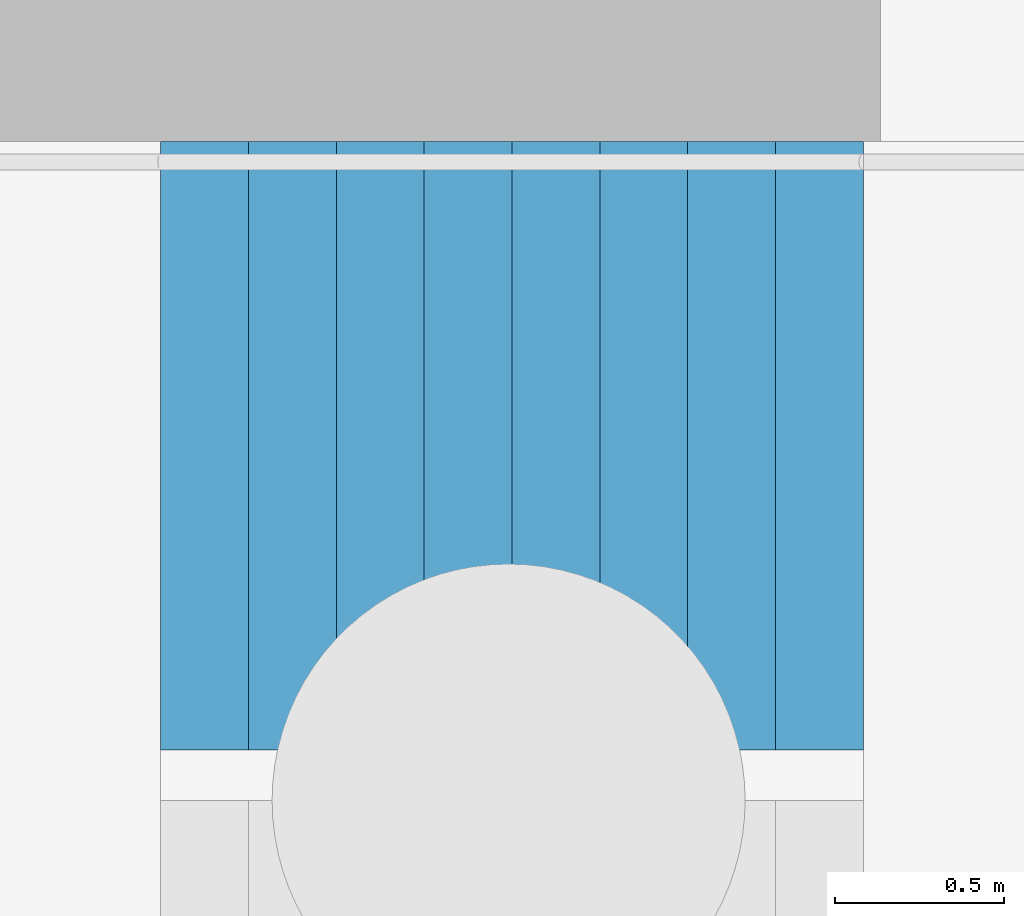
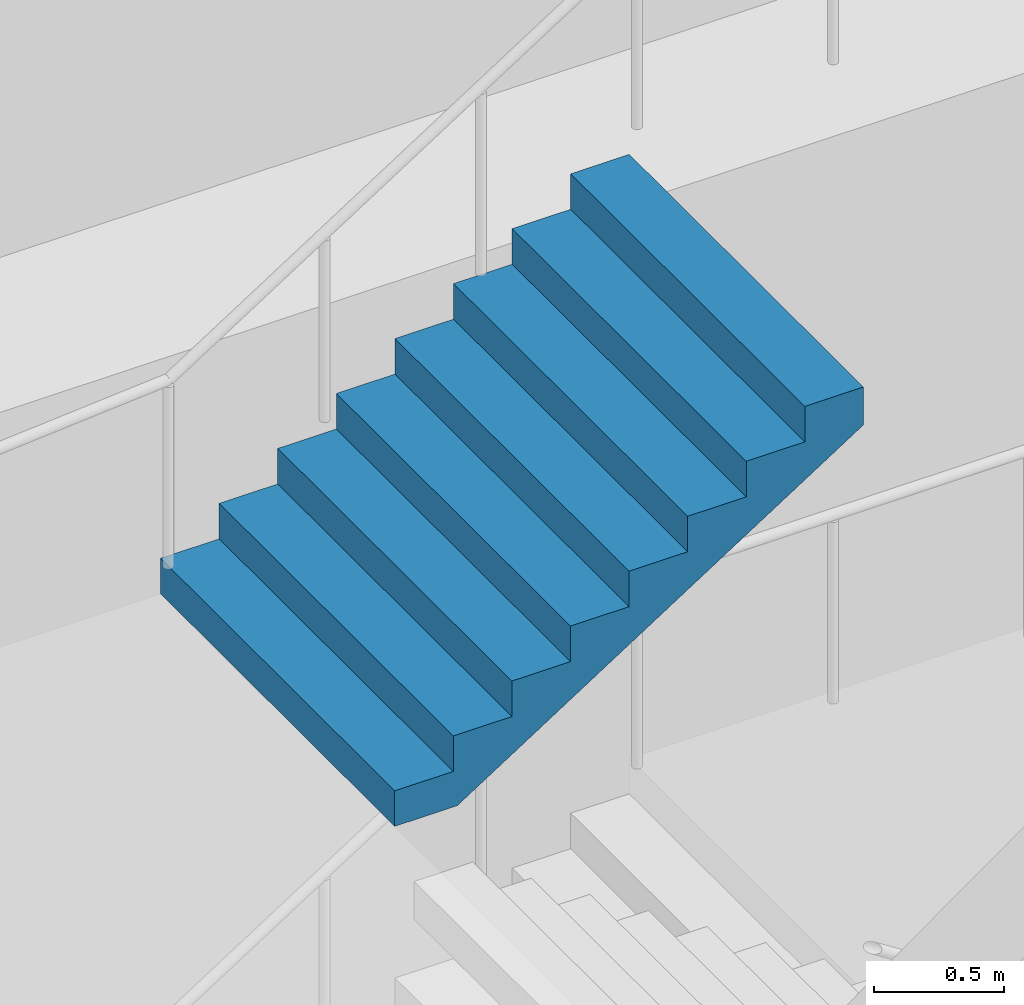
# One storey, part 83 of 113: 1 stair flight, 1 element without a shape of its own.
"""IFC4 building model written with IfcOpenShell, lengths in metres."""

from ifc_helpers import new_model, si_unit, direction, frame, origin, place, context, subcontext, project, spatial, triangles, material, type_object, element, aggregate, save


model = new_model("IFC4")

# Units and contexts
model_context = context("Model", 3, precision=1e-05, world=origin(), true_north=direction((0.0, 1.0)))
body_context = subcontext(model_context, "Body", "Model", "MODEL_VIEW")
ifc_project = project(units=[si_unit("LENGTHUNIT", "METRE"), si_unit("AREAUNIT", "SQUARE_METRE"), si_unit("VOLUMEUNIT", "CUBIC_METRE"), si_unit("PLANEANGLEUNIT", "RADIAN"), si_unit("MASSUNIT", "GRAM", prefix="KILO")], contexts=[model_context])

# Site, building, storey
site_placement = place(None, origin())
site = spatial("IfcSite", under=ifc_project, at=site_placement, CompositionType="ELEMENT")
building_placement = place(site_placement, origin())
building = spatial("IfcBuilding", under=site, at=building_placement, Name="Hakoniwa Tower and Hamabe Station Hall", CompositionType="ELEMENT")
storey_placement = place(building_placement, origin())
storey = spatial("IfcBuildingStorey", under=building, at=storey_placement, Name="L01", CompositionType="ELEMENT", Elevation=0.0)

# Stair, stair flight
ifc_material_1 = material(Name="Concrete C40", Category="concrete")
stair_type = type_object("IfcStairType", Name="ESCAPE STAIR 1800", PredefinedType="HALF_TURN_STAIR", material=ifc_material_1)
stair_placement = place(storey_placement, origin())
stair = element("IfcStair", 1, at=stair_placement, inside=storey, type_object=stair_type, Name="Escape stair ST-3 L01", PredefinedType="HALF_TURN_STAIR")
ifc_material_2 = material(Name="Concrete C40", Category="concrete")
stair_flight_type = type_object("IfcStairFlightType", Name="STAIR FLIGHT 1800", PredefinedType="STRAIGHT", material=ifc_material_2)
stair_flight_placement = place(storey_placement, frame((22.320068359375, 6.60009765625, 7.5), z_axis=(0.0, 0.0, 1.0), x_axis=(1.0, 0.0, 0.0)))
stair_flight = element("IfcStairFlight", 2, at=stair_flight_placement, type_object=stair_flight_type, Name="ST-3 flight 6", NumberOfRisers=9, NumberOfTreads=8, PredefinedType="STRAIGHT", RiserHeight=0.166666667, TreadLength=0.26, context=body_context, shape_type="Tessellation", body=[
    triangles([(0.0, 0.89990234375, 0.0), (0.260009765625, 0.89990234375, 0.0), (0.27783203125, 0.89990234375, 0.0), (0.52001953125, 0.89990234375, 0.1552734375), (0.780029296875, 0.89990234375, 0.322021484375), (1.0400390625, 0.89990234375, 0.488525390625), (1.300048828125, 0.89990234375, 0.6552734375), (1.56005859375, 0.89990234375, 0.822021484375), (1.820068359375, 0.89990234375, 0.988525390625), (2.080078125, 0.89990234375, 1.1552734375), (2.080078125, 0.89990234375, 1.333251953125), (1.820068359375, 0.89990234375, 1.333251953125), (1.820068359375, 0.89990234375, 1.166748046875), (1.56005859375, 0.89990234375, 1.166748046875), (1.56005859375, 0.89990234375, 1.0), (1.300048828125, 0.89990234375, 1.0), (1.300048828125, 0.89990234375, 0.833251953125), (1.0400390625, 0.89990234375, 0.833251953125), (1.0400390625, 0.89990234375, 0.666748046875), (0.780029296875, 0.89990234375, 0.666748046875), (0.780029296875, 0.89990234375, 0.5), (0.52001953125, 0.89990234375, 0.5), (0.52001953125, 0.89990234375, 0.333251953125), (0.27783203125, 0.89990234375, 0.333251953125), (0.260009765625, 0.89990234375, 0.333251953125), (0.260009765625, 0.89990234375, 0.166748046875), (0.0, 0.89990234375, 0.166748046875), (0.0, 0.06005859375, 0.0), (0.260009765625, 0.06005859375, 0.0), (0.27783203125, 0.06005859375, 0.0), (0.52001953125, 0.06005859375, 0.1552734375), (0.780029296875, 0.06005859375, 0.322021484375), (1.0400390625, 0.06005859375, 0.488525390625), (1.300048828125, 0.06005859375, 0.6552734375), (1.56005859375, 0.06005859375, 0.822021484375), (1.820068359375, 0.06005859375, 0.988525390625), (2.080078125, 0.06005859375, 1.1552734375), (2.080078125, 0.06005859375, 1.333251953125), (1.820068359375, 0.06005859375, 1.333251953125), (1.820068359375, 0.06005859375, 1.166748046875), (1.56005859375, 0.06005859375, 1.166748046875), (1.56005859375, 0.06005859375, 1.0), (1.300048828125, 0.06005859375, 1.0), (1.300048828125, 0.06005859375, 0.833251953125), (1.0400390625, 0.06005859375, 0.833251953125), (1.0400390625, 0.06005859375, 0.666748046875), (0.780029296875, 0.06005859375, 0.666748046875), (0.780029296875, 0.06005859375, 0.5), (0.52001953125, 0.06005859375, 0.5), (0.52001953125, 0.06005859375, 0.333251953125), (0.27783203125, 0.06005859375, 0.333251953125), (0.260009765625, 0.06005859375, 0.333251953125), (0.260009765625, 0.06005859375, 0.166748046875), (0.0, 0.06005859375, 0.166748046875), (0.0, 0.04296875, 0.0), (0.260009765625, 0.04296875, 0.0), (0.27783203125, 0.04296875, 0.0), (0.52001953125, 0.04296875, 0.1552734375), (0.780029296875, 0.04296875, 0.322021484375), (1.0400390625, 0.04296875, 0.488525390625), (1.300048828125, 0.04296875, 0.6552734375), (1.56005859375, 0.04296875, 0.822021484375), (1.820068359375, 0.04296875, 0.988525390625), (2.080078125, 0.04296875, 1.1552734375), (2.080078125, 0.04296875, 1.333251953125), (1.820068359375, 0.04296875, 1.333251953125), (1.820068359375, 0.04296875, 1.166748046875), (1.56005859375, 0.04296875, 1.166748046875), (1.56005859375, 0.04296875, 1.0), (1.300048828125, 0.04296875, 1.0), (1.300048828125, 0.04296875, 0.833251953125), (1.0400390625, 0.04296875, 0.833251953125), (1.0400390625, 0.04296875, 0.666748046875), (0.780029296875, 0.04296875, 0.666748046875), (0.780029296875, 0.04296875, 0.5), (0.52001953125, 0.04296875, 0.5), (0.52001953125, 0.04296875, 0.333251953125), (0.27783203125, 0.04296875, 0.333251953125), (0.260009765625, 0.04296875, 0.333251953125), (0.260009765625, 0.04296875, 0.166748046875), (0.0, 0.04296875, 0.166748046875), (0.0, 0.025634765625, 0.0), (0.260009765625, 0.025634765625, 0.0), (0.27783203125, 0.025634765625, 0.0), (0.52001953125, 0.025634765625, 0.1552734375), (0.780029296875, 0.025634765625, 0.322021484375), (1.0400390625, 0.025634765625, 0.488525390625), (1.300048828125, 0.025634765625, 0.6552734375), (1.56005859375, 0.025634765625, 0.822021484375), (1.820068359375, 0.025634765625, 0.988525390625), (2.080078125, 0.025634765625, 1.1552734375), (2.080078125, 0.025634765625, 1.333251953125), (1.820068359375, 0.025634765625, 1.333251953125), (1.820068359375, 0.025634765625, 1.166748046875), (1.56005859375, 0.025634765625, 1.166748046875), (1.56005859375, 0.025634765625, 1.0), (1.300048828125, 0.025634765625, 1.0), (1.300048828125, 0.025634765625, 0.833251953125), (1.0400390625, 0.025634765625, 0.833251953125), (1.0400390625, 0.025634765625, 0.666748046875), (0.780029296875, 0.025634765625, 0.666748046875), (0.780029296875, 0.025634765625, 0.5), (0.52001953125, 0.025634765625, 0.5), (0.52001953125, 0.025634765625, 0.333251953125), (0.27783203125, 0.025634765625, 0.333251953125), (0.260009765625, 0.025634765625, 0.333251953125), (0.260009765625, 0.025634765625, 0.166748046875), (0.0, 0.025634765625, 0.166748046875), (0.0, 0.008544921875, 0.0), (0.260009765625, 0.008544921875, 0.0), (0.27783203125, 0.008544921875, 0.0), (0.52001953125, 0.008544921875, 0.1552734375), (0.780029296875, 0.008544921875, 0.322021484375), (1.0400390625, 0.008544921875, 0.488525390625), (1.300048828125, 0.008544921875, 0.6552734375), (1.56005859375, 0.008544921875, 0.822021484375), (1.820068359375, 0.008544921875, 0.988525390625), (2.080078125, 0.008544921875, 1.1552734375), (2.080078125, 0.008544921875, 1.333251953125), (1.820068359375, 0.008544921875, 1.333251953125), (1.820068359375, 0.008544921875, 1.166748046875), (1.56005859375, 0.008544921875, 1.166748046875), (1.56005859375, 0.008544921875, 1.0), (1.300048828125, 0.008544921875, 1.0), (1.300048828125, 0.008544921875, 0.833251953125), (1.0400390625, 0.008544921875, 0.833251953125), (1.0400390625, 0.008544921875, 0.666748046875), (0.780029296875, 0.008544921875, 0.666748046875), (0.780029296875, 0.008544921875, 0.5), (0.52001953125, 0.008544921875, 0.5), (0.52001953125, 0.008544921875, 0.333251953125), (0.27783203125, 0.008544921875, 0.333251953125), (0.260009765625, 0.008544921875, 0.333251953125), (0.260009765625, 0.008544921875, 0.166748046875), (0.0, 0.008544921875, 0.166748046875), (0.0, -0.008544921875, 0.0), (0.260009765625, -0.008544921875, 0.0), (0.27783203125, -0.008544921875, 0.0), (0.52001953125, -0.008544921875, 0.1552734375), (0.780029296875, -0.008544921875, 0.322021484375), (1.0400390625, -0.008544921875, 0.488525390625), (1.300048828125, -0.008544921875, 0.6552734375), (1.56005859375, -0.008544921875, 0.822021484375), (1.820068359375, -0.008544921875, 0.988525390625), (2.080078125, -0.008544921875, 1.1552734375), (2.080078125, -0.008544921875, 1.333251953125), (1.820068359375, -0.008544921875, 1.333251953125), (1.820068359375, -0.008544921875, 1.166748046875), (1.56005859375, -0.008544921875, 1.166748046875), (1.56005859375, -0.008544921875, 1.0), (1.300048828125, -0.008544921875, 1.0), (1.300048828125, -0.008544921875, 0.833251953125), (1.0400390625, -0.008544921875, 0.833251953125), (1.0400390625, -0.008544921875, 0.666748046875), (0.780029296875, -0.008544921875, 0.666748046875), (0.780029296875, -0.008544921875, 0.5), (0.52001953125, -0.008544921875, 0.5), (0.52001953125, -0.008544921875, 0.333251953125), (0.27783203125, -0.008544921875, 0.333251953125), (0.260009765625, -0.008544921875, 0.333251953125), (0.260009765625, -0.008544921875, 0.166748046875), (0.0, -0.008544921875, 0.166748046875), (0.0, -0.025634765625, 0.0), (0.260009765625, -0.025634765625, 0.0), (0.27783203125, -0.025634765625, 0.0), (0.52001953125, -0.025634765625, 0.1552734375), (0.780029296875, -0.025634765625, 0.322021484375), (1.0400390625, -0.025634765625, 0.488525390625), (1.300048828125, -0.025634765625, 0.6552734375), (1.56005859375, -0.025634765625, 0.822021484375), (1.820068359375, -0.025634765625, 0.988525390625), (2.080078125, -0.025634765625, 1.1552734375), (2.080078125, -0.025634765625, 1.333251953125), (1.820068359375, -0.025634765625, 1.333251953125), (1.820068359375, -0.025634765625, 1.166748046875), (1.56005859375, -0.025634765625, 1.166748046875), (1.56005859375, -0.025634765625, 1.0), (1.300048828125, -0.025634765625, 1.0), (1.300048828125, -0.025634765625, 0.833251953125), (1.0400390625, -0.025634765625, 0.833251953125), (1.0400390625, -0.025634765625, 0.666748046875), (0.780029296875, -0.025634765625, 0.666748046875), (0.780029296875, -0.025634765625, 0.5), (0.52001953125, -0.025634765625, 0.5), (0.52001953125, -0.025634765625, 0.333251953125), (0.27783203125, -0.025634765625, 0.333251953125), (0.260009765625, -0.025634765625, 0.333251953125), (0.260009765625, -0.025634765625, 0.166748046875), (0.0, -0.025634765625, 0.166748046875), (0.0, -0.04296875, 0.0), (0.260009765625, -0.04296875, 0.0), (0.27783203125, -0.04296875, 0.0), (0.52001953125, -0.04296875, 0.1552734375), (0.780029296875, -0.04296875, 0.322021484375), (1.0400390625, -0.04296875, 0.488525390625), (1.300048828125, -0.04296875, 0.6552734375), (1.56005859375, -0.04296875, 0.822021484375), (1.820068359375, -0.04296875, 0.988525390625), (2.080078125, -0.04296875, 1.1552734375), (2.080078125, -0.04296875, 1.333251953125), (1.820068359375, -0.04296875, 1.333251953125), (1.820068359375, -0.04296875, 1.166748046875), (1.56005859375, -0.04296875, 1.166748046875), (1.56005859375, -0.04296875, 1.0), (1.300048828125, -0.04296875, 1.0), (1.300048828125, -0.04296875, 0.833251953125), (1.0400390625, -0.04296875, 0.833251953125), (1.0400390625, -0.04296875, 0.666748046875), (0.780029296875, -0.04296875, 0.666748046875), (0.780029296875, -0.04296875, 0.5), (0.52001953125, -0.04296875, 0.5), (0.52001953125, -0.04296875, 0.333251953125), (0.27783203125, -0.04296875, 0.333251953125), (0.260009765625, -0.04296875, 0.333251953125), (0.260009765625, -0.04296875, 0.166748046875), (0.0, -0.04296875, 0.166748046875), (0.0, -0.06005859375, 0.0), (0.260009765625, -0.06005859375, 0.0), (0.27783203125, -0.06005859375, 0.0), (0.52001953125, -0.06005859375, 0.1552734375), (0.780029296875, -0.06005859375, 0.322021484375), (1.0400390625, -0.06005859375, 0.488525390625), (1.300048828125, -0.06005859375, 0.6552734375), (1.56005859375, -0.06005859375, 0.822021484375), (1.820068359375, -0.06005859375, 0.988525390625), (2.080078125, -0.06005859375, 1.1552734375), (2.080078125, -0.06005859375, 1.333251953125), (1.820068359375, -0.06005859375, 1.333251953125), (1.820068359375, -0.06005859375, 1.166748046875), (1.56005859375, -0.06005859375, 1.166748046875), (1.56005859375, -0.06005859375, 1.0), (1.300048828125, -0.06005859375, 1.0), (1.300048828125, -0.06005859375, 0.833251953125), (1.0400390625, -0.06005859375, 0.833251953125), (1.0400390625, -0.06005859375, 0.666748046875), (0.780029296875, -0.06005859375, 0.666748046875), (0.780029296875, -0.06005859375, 0.5), (0.52001953125, -0.06005859375, 0.5), (0.52001953125, -0.06005859375, 0.333251953125), (0.27783203125, -0.06005859375, 0.333251953125), (0.260009765625, -0.06005859375, 0.333251953125), (0.260009765625, -0.06005859375, 0.166748046875), (0.0, -0.06005859375, 0.166748046875), (0.0, -0.89990234375, 0.0), (0.260009765625, -0.89990234375, 0.0), (0.27783203125, -0.89990234375, 0.0), (0.52001953125, -0.89990234375, 0.1552734375), (0.780029296875, -0.89990234375, 0.322021484375), (1.0400390625, -0.89990234375, 0.488525390625), (1.300048828125, -0.89990234375, 0.6552734375), (1.56005859375, -0.89990234375, 0.822021484375), (1.820068359375, -0.89990234375, 0.988525390625), (2.080078125, -0.89990234375, 1.1552734375), (2.080078125, -0.89990234375, 1.333251953125), (1.820068359375, -0.89990234375, 1.333251953125), (1.820068359375, -0.89990234375, 1.166748046875), (1.56005859375, -0.89990234375, 1.166748046875), (1.56005859375, -0.89990234375, 1.0), (1.300048828125, -0.89990234375, 1.0), (1.300048828125, -0.89990234375, 0.833251953125), (1.0400390625, -0.89990234375, 0.833251953125), (1.0400390625, -0.89990234375, 0.666748046875), (0.780029296875, -0.89990234375, 0.666748046875), (0.780029296875, -0.89990234375, 0.5), (0.52001953125, -0.89990234375, 0.5), (0.52001953125, -0.89990234375, 0.333251953125), (0.27783203125, -0.89990234375, 0.333251953125), (0.260009765625, -0.89990234375, 0.333251953125), (0.260009765625, -0.89990234375, 0.166748046875), (0.0, -0.89990234375, 0.166748046875)], [[2, 27, 26], [245, 269, 270], [2, 1, 27], [245, 270, 244], [3, 25, 24], [246, 267, 268], [3, 26, 25], [246, 268, 269], [3, 2, 26], [246, 269, 245], [4, 24, 23], [247, 266, 267], [4, 3, 24], [247, 267, 246], [5, 22, 21], [248, 264, 265], [5, 23, 22], [248, 265, 266], [5, 4, 23], [248, 266, 247], [6, 20, 19], [249, 262, 263], [6, 21, 20], [249, 263, 264], [6, 5, 21], [249, 264, 248], [7, 18, 17], [250, 260, 261], [7, 19, 18], [250, 261, 262], [7, 6, 19], [250, 262, 249], [8, 16, 15], [251, 258, 259], [8, 17, 16], [251, 259, 260], [8, 7, 17], [251, 260, 250], [9, 14, 13], [252, 256, 257], [9, 15, 14], [252, 257, 258], [9, 8, 15], [252, 258, 251], [10, 12, 11], [253, 254, 255], [10, 13, 12], [253, 255, 256], [10, 9, 13], [253, 256, 252], [1, 2, 29], [1, 29, 28], [28, 29, 56], [28, 56, 55], [55, 56, 83], [55, 83, 82], [82, 83, 110], [82, 110, 109], [109, 110, 137], [109, 137, 136], [136, 137, 164], [136, 164, 163], [163, 164, 191], [163, 191, 190], [190, 191, 218], [190, 218, 217], [217, 218, 245], [217, 245, 244], [2, 3, 30], [2, 30, 29], [29, 30, 57], [29, 57, 56], [56, 57, 84], [56, 84, 83], [83, 84, 111], [83, 111, 110], [110, 111, 138], [110, 138, 137], [137, 138, 165], [137, 165, 164], [164, 165, 192], [164, 192, 191], [191, 192, 219], [191, 219, 218], [218, 219, 246], [218, 246, 245], [3, 4, 31], [3, 31, 30], [30, 31, 58], [30, 58, 57], [57, 58, 85], [57, 85, 84], [84, 85, 112], [84, 112, 111], [111, 112, 139], [111, 139, 138], [138, 139, 166], [138, 166, 165], [165, 166, 193], [165, 193, 192], [192, 193, 220], [192, 220, 219], [219, 220, 247], [219, 247, 246], [4, 5, 32], [4, 32, 31], [31, 32, 59], [31, 59, 58], [58, 59, 86], [58, 86, 85], [85, 86, 113], [85, 113, 112], [112, 113, 140], [112, 140, 139], [139, 140, 167], [139, 167, 166], [166, 167, 194], [166, 194, 193], [193, 194, 221], [193, 221, 220], [220, 221, 248], [220, 248, 247], [5, 6, 33], [5, 33, 32], [32, 33, 60], [32, 60, 59], [59, 60, 87], [59, 87, 86], [86, 87, 114], [86, 114, 113], [113, 114, 141], [113, 141, 140], [140, 141, 168], [140, 168, 167], [167, 168, 195], [167, 195, 194], [194, 195, 222], [194, 222, 221], [221, 222, 249], [221, 249, 248], [6, 7, 34], [6, 34, 33], [33, 34, 61], [33, 61, 60], [60, 61, 88], [60, 88, 87], [87, 88, 115], [87, 115, 114], [114, 115, 142], [114, 142, 141], [141, 142, 169], [141, 169, 168], [168, 169, 196], [168, 196, 195], [195, 196, 223], [195, 223, 222], [222, 223, 250], [222, 250, 249], [7, 8, 35], [7, 35, 34], [34, 35, 62], [34, 62, 61], [61, 62, 89], [61, 89, 88], [88, 89, 116], [88, 116, 115], [115, 116, 143], [115, 143, 142], [142, 143, 170], [142, 170, 169], [169, 170, 197], [169, 197, 196], [196, 197, 224], [196, 224, 223], [223, 224, 251], [223, 251, 250], [8, 9, 36], [8, 36, 35], [35, 36, 63], [35, 63, 62], [62, 63, 90], [62, 90, 89], [89, 90, 117], [89, 117, 116], [116, 117, 144], [116, 144, 143], [143, 144, 171], [143, 171, 170], [170, 171, 198], [170, 198, 197], [197, 198, 225], [197, 225, 224], [224, 225, 252], [224, 252, 251], [9, 10, 37], [9, 37, 36], [36, 37, 64], [36, 64, 63], [63, 64, 91], [63, 91, 90], [90, 91, 118], [90, 118, 117], [117, 118, 145], [117, 145, 144], [144, 145, 172], [144, 172, 171], [171, 172, 199], [171, 199, 198], [198, 199, 226], [198, 226, 225], [225, 226, 253], [225, 253, 252], [10, 11, 38], [10, 38, 37], [37, 38, 65], [37, 65, 64], [64, 65, 92], [64, 92, 91], [91, 92, 119], [91, 119, 118], [118, 119, 146], [118, 146, 145], [145, 146, 173], [145, 173, 172], [172, 173, 200], [172, 200, 199], [199, 200, 227], [199, 227, 226], [226, 227, 254], [226, 254, 253], [11, 12, 39], [11, 39, 38], [38, 39, 66], [38, 66, 65], [65, 66, 93], [65, 93, 92], [92, 93, 120], [92, 120, 119], [119, 120, 147], [119, 147, 146], [146, 147, 174], [146, 174, 173], [173, 174, 201], [173, 201, 200], [200, 201, 228], [200, 228, 227], [227, 228, 255], [227, 255, 254], [12, 13, 40], [12, 40, 39], [39, 40, 67], [39, 67, 66], [66, 67, 94], [66, 94, 93], [93, 94, 121], [93, 121, 120], [120, 121, 148], [120, 148, 147], [147, 148, 175], [147, 175, 174], [174, 175, 202], [174, 202, 201], [201, 202, 229], [201, 229, 228], [228, 229, 256], [228, 256, 255], [13, 14, 41], [13, 41, 40], [40, 41, 68], [40, 68, 67], [67, 68, 95], [67, 95, 94], [94, 95, 122], [94, 122, 121], [121, 122, 149], [121, 149, 148], [148, 149, 176], [148, 176, 175], [175, 176, 203], [175, 203, 202], [202, 203, 230], [202, 230, 229], [229, 230, 257], [229, 257, 256], [14, 15, 42], [14, 42, 41], [41, 42, 69], [41, 69, 68], [68, 69, 96], [68, 96, 95], [95, 96, 123], [95, 123, 122], [122, 123, 150], [122, 150, 149], [149, 150, 177], [149, 177, 176], [176, 177, 204], [176, 204, 203], [203, 204, 231], [203, 231, 230], [230, 231, 258], [230, 258, 257], [15, 16, 43], [15, 43, 42], [42, 43, 70], [42, 70, 69], [69, 70, 97], [69, 97, 96], [96, 97, 124], [96, 124, 123], [123, 124, 151], [123, 151, 150], [150, 151, 178], [150, 178, 177], [177, 178, 205], [177, 205, 204], [204, 205, 232], [204, 232, 231], [231, 232, 259], [231, 259, 258], [16, 17, 44], [16, 44, 43], [43, 44, 71], [43, 71, 70], [70, 71, 98], [70, 98, 97], [97, 98, 125], [97, 125, 124], [124, 125, 152], [124, 152, 151], [151, 152, 179], [151, 179, 178], [178, 179, 206], [178, 206, 205], [205, 206, 233], [205, 233, 232], [232, 233, 260], [232, 260, 259], [17, 18, 45], [17, 45, 44], [44, 45, 72], [44, 72, 71], [71, 72, 99], [71, 99, 98], [98, 99, 126], [98, 126, 125], [125, 126, 153], [125, 153, 152], [152, 153, 180], [152, 180, 179], [179, 180, 207], [179, 207, 206], [206, 207, 234], [206, 234, 233], [233, 234, 261], [233, 261, 260], [18, 19, 46], [18, 46, 45], [45, 46, 73], [45, 73, 72], [72, 73, 100], [72, 100, 99], [99, 100, 127], [99, 127, 126], [126, 127, 154], [126, 154, 153], [153, 154, 181], [153, 181, 180], [180, 181, 208], [180, 208, 207], [207, 208, 235], [207, 235, 234], [234, 235, 262], [234, 262, 261], [19, 20, 47], [19, 47, 46], [46, 47, 74], [46, 74, 73], [73, 74, 101], [73, 101, 100], [100, 101, 128], [100, 128, 127], [127, 128, 155], [127, 155, 154], [154, 155, 182], [154, 182, 181], [181, 182, 209], [181, 209, 208], [208, 209, 236], [208, 236, 235], [235, 236, 263], [235, 263, 262], [20, 21, 48], [20, 48, 47], [47, 48, 75], [47, 75, 74], [74, 75, 102], [74, 102, 101], [101, 102, 129], [101, 129, 128], [128, 129, 156], [128, 156, 155], [155, 156, 183], [155, 183, 182], [182, 183, 210], [182, 210, 209], [209, 210, 237], [209, 237, 236], [236, 237, 264], [236, 264, 263], [21, 22, 49], [21, 49, 48], [48, 49, 76], [48, 76, 75], [75, 76, 103], [75, 103, 102], [102, 103, 130], [102, 130, 129], [129, 130, 157], [129, 157, 156], [156, 157, 184], [156, 184, 183], [183, 184, 211], [183, 211, 210], [210, 211, 238], [210, 238, 237], [237, 238, 265], [237, 265, 264], [22, 23, 50], [22, 50, 49], [49, 50, 77], [49, 77, 76], [76, 77, 104], [76, 104, 103], [103, 104, 131], [103, 131, 130], [130, 131, 158], [130, 158, 157], [157, 158, 185], [157, 185, 184], [184, 185, 212], [184, 212, 211], [211, 212, 239], [211, 239, 238], [238, 239, 266], [238, 266, 265], [23, 24, 51], [23, 51, 50], [50, 51, 78], [50, 78, 77], [77, 78, 105], [77, 105, 104], [104, 105, 132], [104, 132, 131], [131, 132, 159], [131, 159, 158], [158, 159, 186], [158, 186, 185], [185, 186, 213], [185, 213, 212], [212, 213, 240], [212, 240, 239], [239, 240, 267], [239, 267, 266], [24, 25, 52], [24, 52, 51], [51, 52, 79], [51, 79, 78], [78, 79, 106], [78, 106, 105], [105, 106, 133], [105, 133, 132], [132, 133, 160], [132, 160, 159], [159, 160, 187], [159, 187, 186], [186, 187, 214], [186, 214, 213], [213, 214, 241], [213, 241, 240], [240, 241, 268], [240, 268, 267], [25, 26, 53], [25, 53, 52], [52, 53, 80], [52, 80, 79], [79, 80, 107], [79, 107, 106], [106, 107, 134], [106, 134, 133], [133, 134, 161], [133, 161, 160], [160, 161, 188], [160, 188, 187], [187, 188, 215], [187, 215, 214], [214, 215, 242], [214, 242, 241], [241, 242, 269], [241, 269, 268], [26, 27, 54], [26, 54, 53], [53, 54, 81], [53, 81, 80], [80, 81, 108], [80, 108, 107], [107, 108, 135], [107, 135, 134], [134, 135, 162], [134, 162, 161], [161, 162, 189], [161, 189, 188], [188, 189, 216], [188, 216, 215], [215, 216, 243], [215, 243, 242], [242, 243, 270], [242, 270, 269], [27, 1, 28], [27, 28, 54], [54, 28, 55], [54, 55, 81], [81, 55, 82], [81, 82, 108], [108, 82, 109], [108, 109, 135], [135, 109, 136], [135, 136, 162], [162, 136, 163], [162, 163, 189], [189, 163, 190], [189, 190, 216], [216, 190, 217], [216, 217, 243], [243, 217, 244], [243, 244, 270]], closed=True),
])
aggregate(stair, [stair_flight])

save(model, "model.ifc")
